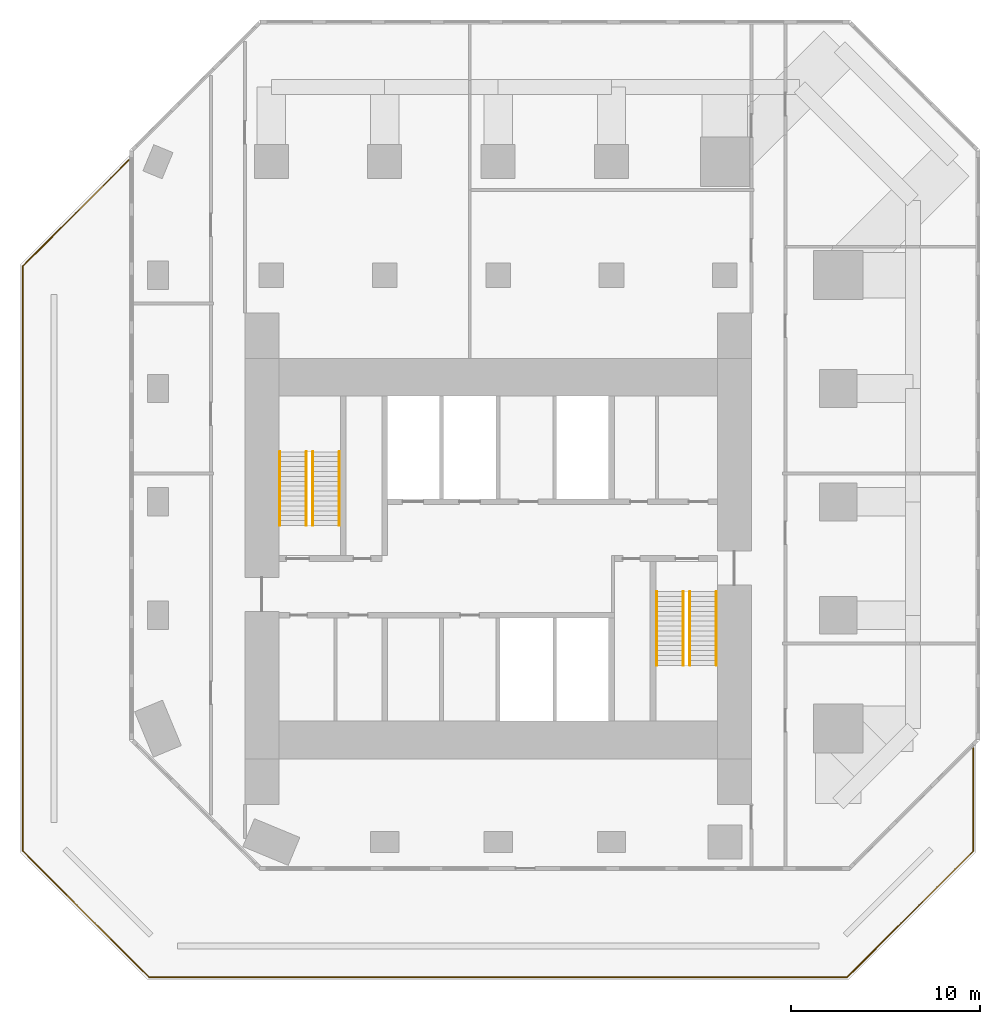
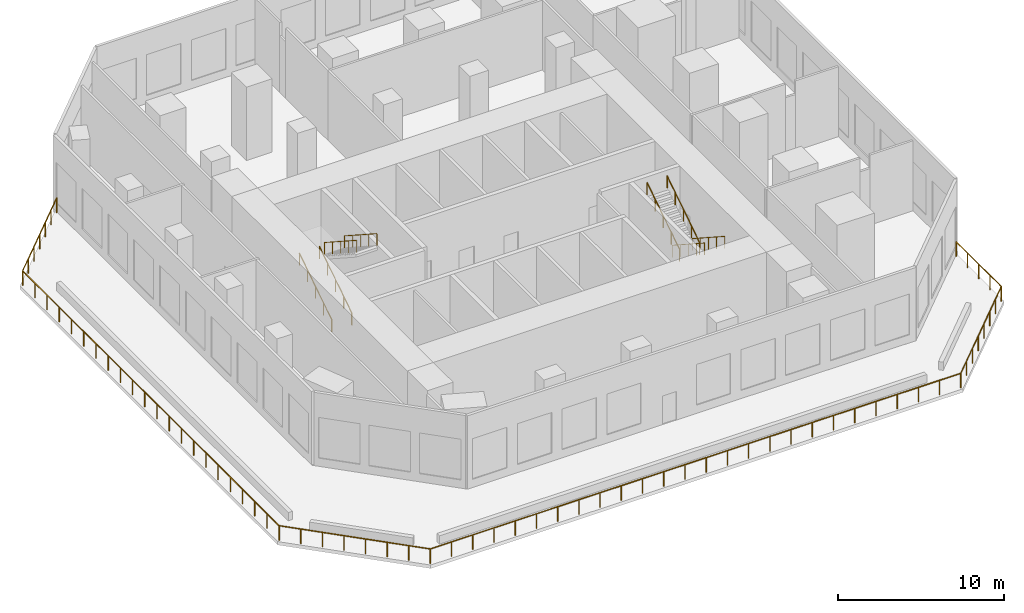
# One storey, part 7 of 7: 9 railings.
"""IFC4 building model written with IfcOpenShell, lengths in metres."""

from ifc_helpers import new_model, si_unit, direction, frame, origin, origin_2d, place, context, subcontext, project, spatial, circle, extrude, material, type_object, element, save


model = new_model("IFC4")

# Units and contexts
model_context = context("Model", 3, precision=1e-05, world=origin(), true_north=direction((0.0, 1.0)))
body_context = subcontext(model_context, "Body", "Model", "MODEL_VIEW")
ifc_project = project(units=[si_unit("LENGTHUNIT", "METRE"), si_unit("AREAUNIT", "SQUARE_METRE"), si_unit("VOLUMEUNIT", "CUBIC_METRE"), si_unit("PLANEANGLEUNIT", "RADIAN"), si_unit("MASSUNIT", "GRAM", prefix="KILO")], contexts=[model_context])

# Site, building, storey
site_placement = place(None, origin())
site = spatial("IfcSite", under=ifc_project, at=site_placement, CompositionType="ELEMENT")
building_placement = place(site_placement, origin())
building = spatial("IfcBuilding", under=site, at=building_placement, Name="Highveld Stack Headquarters", CompositionType="ELEMENT")
storey_placement = place(building_placement, frame((0.0, 0.0, 164.0)))
storey = spatial("IfcBuildingStorey", under=building, at=storey_placement, Name="L40", CompositionType="ELEMENT", Elevation=164.0)

# Railings
ifc_material_1 = material(Name="Stainless steel handrail", Category="steel")
railing_type_1 = type_object("IfcRailingType", Name="STAIR HANDRAIL HR1 900", PredefinedType="HANDRAIL", material=ifc_material_1)
for number, where, name in (
    (1, (-5.550048828125, 4.75, 0.168701171875), "Handrail S1 L40 flight 1"),
    (2, (-4.14990234375, 4.75, 0.168701171875), "Handrail S1 L40 flight 1"),
):
    element("IfcRailing", number, at=place(storey_placement, frame(where)), inside=storey, type_object=railing_type_1, Name=name, PredefinedType="HANDRAIL", context=body_context, shape_type="SweptSolid", body=[
        extrude(circle(Radius=0.02392578125, at=origin_2d()), frame((0.0, 0.0, 0.8759765625), z_axis=(0.0, 0.838805745541, 0.544430823198), x_axis=(-1.0, 0.0, 0.0)), (0.0, 0.0, 1.0), 4.6494140625),
        extrude(circle(Radius=0.02099609375, at=origin_2d()), origin(), (0.0, 0.0, 1.0), 0.851806640625),
        extrude(circle(Radius=0.02099609375, at=origin_2d()), frame((0.0, 0.97509765625, 0.6328125)), (0.0, 0.0, 1.0), 0.851806640625),
        extrude(circle(Radius=0.02099609375, at=origin_2d()), frame((0.0, 1.949951171875, 1.265625)), (0.0, 0.0, 1.0), 0.851806640625),
        extrude(circle(Radius=0.02099609375, at=origin_2d()), frame((0.0, 2.9248046875, 1.8984375)), (0.0, 0.0, 1.0), 0.851806640625),
        extrude(circle(Radius=0.02099609375, at=origin_2d()), frame((0.0, 3.89990234375, 2.53125)), (0.0, 0.0, 1.0), 0.851806640625),
    ])
for number, where, name in (
    (3, (-3.800048828125, 8.64990234375, 2.86865234375), "Handrail S1 L40 flight 2"),
    (4, (-2.39990234375, 8.64990234375, 2.86865234375), "Handrail S1 L40 flight 2"),
    (5, (16.14990234375, 1.25, 0.168701171875), "Handrail S2 L40 flight 1"),
    (6, (17.550048828125, 1.25, 0.168701171875), "Handrail S2 L40 flight 1"),
):
    element("IfcRailing", number, at=place(storey_placement, frame(where)), inside=storey, type_object=railing_type_1, Name=name, PredefinedType="HANDRAIL", context=body_context, shape_type="SweptSolid", body=[
        extrude(circle(Radius=0.02392578125, at=origin_2d()), frame((0.0, 0.0, 0.8759765625), z_axis=(0.0, -0.838805745541, 0.544430823198), x_axis=(1.0, 0.0, 0.0)), (0.0, 0.0, 1.0), 4.6494140625),
        extrude(circle(Radius=0.02099609375, at=origin_2d()), origin(), (0.0, 0.0, 1.0), 0.851806640625),
        extrude(circle(Radius=0.02099609375, at=origin_2d()), frame((0.0, -0.97509765625, 0.6328125)), (0.0, 0.0, 1.0), 0.851806640625),
        extrude(circle(Radius=0.02099609375, at=origin_2d()), frame((0.0, -1.949951171875, 1.265625)), (0.0, 0.0, 1.0), 0.851806640625),
        extrude(circle(Radius=0.02099609375, at=origin_2d()), frame((0.0, -2.9248046875, 1.8984375)), (0.0, 0.0, 1.0), 0.851806640625),
        extrude(circle(Radius=0.02099609375, at=origin_2d()), frame((0.0, -3.89990234375, 2.53125)), (0.0, 0.0, 1.0), 0.851806640625),
    ])
for number, where, name in (
    (7, (14.39990234375, -2.64990234375, 2.86865234375), "Handrail S2 L40 flight 2"),
    (8, (15.800048828125, -2.64990234375, 2.86865234375), "Handrail S2 L40 flight 2"),
):
    element("IfcRailing", number, at=place(storey_placement, frame(where)), inside=storey, type_object=railing_type_1, Name=name, PredefinedType="HANDRAIL", context=body_context, shape_type="SweptSolid", body=[
        extrude(circle(Radius=0.02392578125, at=origin_2d()), frame((0.0, 0.0, 0.8759765625), z_axis=(0.0, 0.838805745541, 0.544430823198), x_axis=(-1.0, 0.0, 0.0)), (0.0, 0.0, 1.0), 4.6494140625),
        extrude(circle(Radius=0.02099609375, at=origin_2d()), origin(), (0.0, 0.0, 1.0), 0.851806640625),
        extrude(circle(Radius=0.02099609375, at=origin_2d()), frame((0.0, 0.97509765625, 0.6328125)), (0.0, 0.0, 1.0), 0.851806640625),
        extrude(circle(Radius=0.02099609375, at=origin_2d()), frame((0.0, 1.949951171875, 1.265625)), (0.0, 0.0, 1.0), 0.851806640625),
        extrude(circle(Radius=0.02099609375, at=origin_2d()), frame((0.0, 2.9248046875, 1.8984375)), (0.0, 0.0, 1.0), 0.851806640625),
        extrude(circle(Radius=0.02099609375, at=origin_2d()), frame((0.0, 3.89990234375, 2.53125)), (0.0, 0.0, 1.0), 0.851806640625),
    ])
ifc_material_2 = material(Name="Laminated glass balustrade with bronze handrail", Category="glass")
railing_type_2 = type_object("IfcRailingType", Name="TERRACE GUARD GR1 1100 GLASS", PredefinedType="GUARDRAIL", material=ifc_material_2)
railing_placement = place(storey_placement, frame((31.14990234375, -7.033447265625, 0.0)))
element("IfcRailing", 9, at=railing_placement, inside=storey, type_object=railing_type_2, Name="Terrace guard L40 1", PredefinedType="GUARDRAIL", context=body_context, shape_type="SweptSolid", body=[
    extrude(circle(Radius=0.02392578125, at=origin_2d()), frame((0.0, 0.0, 1.076171875), z_axis=(0.0, -1.0, 0.0), x_axis=(1.0, 0.0, 0.0)), (0.0, 0.0, 1.0), 5.44287109375),
    extrude(circle(Radius=0.02392578125, at=origin_2d()), frame((0.0, -5.44287109375, 1.076171875), z_axis=(-0.707106781187, -0.707106781187, 0.0), x_axis=(0.707106781187, -0.707106781187, 0.0)), (0.0, 0.0, 1.0), 9.43798828125),
    extrude(circle(Radius=0.02392578125, at=origin_2d()), frame((-6.673583984375, -12.116455078125, 1.076171875), z_axis=(-1.0, 0.0, 0.0), x_axis=(0.0, -1.0, 0.0)), (0.0, 0.0, 1.0), 36.95263671875),
    extrude(circle(Radius=0.02392578125, at=origin_2d()), frame((-43.626220703125, -12.116455078125, 1.076171875), z_axis=(-0.707106781187, 0.707106781187, 0.0), x_axis=(-0.707106781187, -0.707106781187, 0.0)), (0.0, 0.0, 1.0), 9.43798828125),
    extrude(circle(Radius=0.02392578125, at=origin_2d()), frame((-50.2998046875, -5.44287109375, 1.076171875), z_axis=(0.0, 1.0, 0.0), x_axis=(-1.0, 0.0, 0.0)), (0.0, 0.0, 1.0), 30.95263671875),
    extrude(circle(Radius=0.02392578125, at=origin_2d()), frame((-50.2998046875, 25.509765625, 1.076171875), z_axis=(0.707091384029, 0.707122178009, 0.0), x_axis=(-0.707122178009, 0.707091384029, 0.0)), (0.0, 0.0, 1.0), 7.92822265625),
    extrude(circle(Radius=0.02099609375, at=origin_2d()), origin(), (0.0, 0.0, 1.0), 1.052001953125),
    extrude(circle(Radius=0.02099609375, at=origin_2d()), frame((0.0, -1.36083984375, 0.0)), (0.0, 0.0, 1.0), 1.052001953125),
    extrude(circle(Radius=0.02099609375, at=origin_2d()), frame((0.0, -2.721435546875, 0.0)), (0.0, 0.0, 1.0), 1.052001953125),
    extrude(circle(Radius=0.02099609375, at=origin_2d()), frame((0.0, -4.08203125, 0.0)), (0.0, 0.0, 1.0), 1.052001953125),
    extrude(circle(Radius=0.02099609375, at=origin_2d()), frame((0.0, -5.44287109375, 0.0)), (0.0, 0.0, 1.0), 1.052001953125),
    extrude(circle(Radius=0.02099609375, at=origin_2d()), frame((-0.953369140625, -6.396240234375, 0.0)), (0.0, 0.0, 1.0), 1.052001953125),
    extrude(circle(Radius=0.02099609375, at=origin_2d()), frame((-1.90673828125, -7.349609375, 0.0)), (0.0, 0.0, 1.0), 1.052001953125),
    extrude(circle(Radius=0.02099609375, at=origin_2d()), frame((-2.860107421875, -8.302978515625, 0.0)), (0.0, 0.0, 1.0), 1.052001953125),
    extrude(circle(Radius=0.02099609375, at=origin_2d()), frame((-3.8134765625, -9.25634765625, 0.0)), (0.0, 0.0, 1.0), 1.052001953125),
    extrude(circle(Radius=0.02099609375, at=origin_2d()), frame((-4.766845703125, -10.209716796875, 0.0)), (0.0, 0.0, 1.0), 1.052001953125),
    extrude(circle(Radius=0.02099609375, at=origin_2d()), frame((-5.72021484375, -11.1630859375, 0.0)), (0.0, 0.0, 1.0), 1.052001953125),
    extrude(circle(Radius=0.02099609375, at=origin_2d()), frame((-6.673583984375, -12.116455078125, 0.0)), (0.0, 0.0, 1.0), 1.052001953125),
    extrude(circle(Radius=0.02099609375, at=origin_2d()), frame((-8.151611328125, -12.116455078125, 0.0)), (0.0, 0.0, 1.0), 1.052001953125),
    extrude(circle(Radius=0.02099609375, at=origin_2d()), frame((-9.6298828125, -12.116455078125, 0.0)), (0.0, 0.0, 1.0), 1.052001953125),
    extrude(circle(Radius=0.02099609375, at=origin_2d()), frame((-11.10791015625, -12.116455078125, 0.0)), (0.0, 0.0, 1.0), 1.052001953125),
    extrude(circle(Radius=0.02099609375, at=origin_2d()), frame((-12.5859375, -12.116455078125, 0.0)), (0.0, 0.0, 1.0), 1.052001953125),
    extrude(circle(Radius=0.02099609375, at=origin_2d()), frame((-14.064208984375, -12.116455078125, 0.0)), (0.0, 0.0, 1.0), 1.052001953125),
    extrude(circle(Radius=0.02099609375, at=origin_2d()), frame((-15.542236328125, -12.116455078125, 0.0)), (0.0, 0.0, 1.0), 1.052001953125),
    extrude(circle(Radius=0.02099609375, at=origin_2d()), frame((-17.020263671875, -12.116455078125, 0.0)), (0.0, 0.0, 1.0), 1.052001953125),
    extrude(circle(Radius=0.02099609375, at=origin_2d()), frame((-18.49853515625, -12.116455078125, 0.0)), (0.0, 0.0, 1.0), 1.052001953125),
    extrude(circle(Radius=0.02099609375, at=origin_2d()), frame((-19.9765625, -12.116455078125, 0.0)), (0.0, 0.0, 1.0), 1.052001953125),
    extrude(circle(Radius=0.02099609375, at=origin_2d()), frame((-21.45458984375, -12.116455078125, 0.0)), (0.0, 0.0, 1.0), 1.052001953125),
    extrude(circle(Radius=0.02099609375, at=origin_2d()), frame((-22.932861328125, -12.116455078125, 0.0)), (0.0, 0.0, 1.0), 1.052001953125),
    extrude(circle(Radius=0.02099609375, at=origin_2d()), frame((-24.410888671875, -12.116455078125, 0.0)), (0.0, 0.0, 1.0), 1.052001953125),
    extrude(circle(Radius=0.02099609375, at=origin_2d()), frame((-25.888916015625, -12.116455078125, 0.0)), (0.0, 0.0, 1.0), 1.052001953125),
    extrude(circle(Radius=0.02099609375, at=origin_2d()), frame((-27.366943359375, -12.116455078125, 0.0)), (0.0, 0.0, 1.0), 1.052001953125),
    extrude(circle(Radius=0.02099609375, at=origin_2d()), frame((-28.84521484375, -12.116455078125, 0.0)), (0.0, 0.0, 1.0), 1.052001953125),
    extrude(circle(Radius=0.02099609375, at=origin_2d()), frame((-30.3232421875, -12.116455078125, 0.0)), (0.0, 0.0, 1.0), 1.052001953125),
    extrude(circle(Radius=0.02099609375, at=origin_2d()), frame((-31.80126953125, -12.116455078125, 0.0)), (0.0, 0.0, 1.0), 1.052001953125),
    extrude(circle(Radius=0.02099609375, at=origin_2d()), frame((-33.279541015625, -12.116455078125, 0.0)), (0.0, 0.0, 1.0), 1.052001953125),
    extrude(circle(Radius=0.02099609375, at=origin_2d()), frame((-34.757568359375, -12.116455078125, 0.0)), (0.0, 0.0, 1.0), 1.052001953125),
    extrude(circle(Radius=0.02099609375, at=origin_2d()), frame((-36.235595703125, -12.116455078125, 0.0)), (0.0, 0.0, 1.0), 1.052001953125),
    extrude(circle(Radius=0.02099609375, at=origin_2d()), frame((-37.7138671875, -12.116455078125, 0.0)), (0.0, 0.0, 1.0), 1.052001953125),
    extrude(circle(Radius=0.02099609375, at=origin_2d()), frame((-39.19189453125, -12.116455078125, 0.0)), (0.0, 0.0, 1.0), 1.052001953125),
    extrude(circle(Radius=0.02099609375, at=origin_2d()), frame((-40.669921875, -12.116455078125, 0.0)), (0.0, 0.0, 1.0), 1.052001953125),
    extrude(circle(Radius=0.02099609375, at=origin_2d()), frame((-42.148193359375, -12.116455078125, 0.0)), (0.0, 0.0, 1.0), 1.052001953125),
    extrude(circle(Radius=0.02099609375, at=origin_2d()), frame((-43.626220703125, -12.116455078125, 0.0)), (0.0, 0.0, 1.0), 1.052001953125),
    extrude(circle(Radius=0.02099609375, at=origin_2d()), frame((-44.57958984375, -11.1630859375, 0.0)), (0.0, 0.0, 1.0), 1.052001953125),
    extrude(circle(Radius=0.02099609375, at=origin_2d()), frame((-45.532958984375, -10.209716796875, 0.0)), (0.0, 0.0, 1.0), 1.052001953125),
    extrude(circle(Radius=0.02099609375, at=origin_2d()), frame((-46.486328125, -9.25634765625, 0.0)), (0.0, 0.0, 1.0), 1.052001953125),
    extrude(circle(Radius=0.02099609375, at=origin_2d()), frame((-47.439697265625, -8.302978515625, 0.0)), (0.0, 0.0, 1.0), 1.052001953125),
    extrude(circle(Radius=0.02099609375, at=origin_2d()), frame((-48.39306640625, -7.349609375, 0.0)), (0.0, 0.0, 1.0), 1.052001953125),
    extrude(circle(Radius=0.02099609375, at=origin_2d()), frame((-49.346435546875, -6.396240234375, 0.0)), (0.0, 0.0, 1.0), 1.052001953125),
    extrude(circle(Radius=0.02099609375, at=origin_2d()), frame((-50.2998046875, -5.44287109375, 0.0)), (0.0, 0.0, 1.0), 1.052001953125),
    extrude(circle(Radius=0.02099609375, at=origin_2d()), frame((-50.2998046875, -3.968994140625, 0.0)), (0.0, 0.0, 1.0), 1.052001953125),
    extrude(circle(Radius=0.02099609375, at=origin_2d()), frame((-50.2998046875, -2.4951171875, 0.0)), (0.0, 0.0, 1.0), 1.052001953125),
    extrude(circle(Radius=0.02099609375, at=origin_2d()), frame((-50.2998046875, -1.02099609375, 0.0)), (0.0, 0.0, 1.0), 1.052001953125),
    extrude(circle(Radius=0.02099609375, at=origin_2d()), frame((-50.2998046875, 0.452880859375, 0.0)), (0.0, 0.0, 1.0), 1.052001953125),
    extrude(circle(Radius=0.02099609375, at=origin_2d()), frame((-50.2998046875, 1.9267578125, 0.0)), (0.0, 0.0, 1.0), 1.052001953125),
    extrude(circle(Radius=0.02099609375, at=origin_2d()), frame((-50.2998046875, 3.400634765625, 0.0)), (0.0, 0.0, 1.0), 1.052001953125),
    extrude(circle(Radius=0.02099609375, at=origin_2d()), frame((-50.2998046875, 4.874755859375, 0.0)), (0.0, 0.0, 1.0), 1.052001953125),
    extrude(circle(Radius=0.02099609375, at=origin_2d()), frame((-50.2998046875, 6.3486328125, 0.0)), (0.0, 0.0, 1.0), 1.052001953125),
    extrude(circle(Radius=0.02099609375, at=origin_2d()), frame((-50.2998046875, 7.822509765625, 0.0)), (0.0, 0.0, 1.0), 1.052001953125),
    extrude(circle(Radius=0.02099609375, at=origin_2d()), frame((-50.2998046875, 9.29638671875, 0.0)), (0.0, 0.0, 1.0), 1.052001953125),
    extrude(circle(Radius=0.02099609375, at=origin_2d()), frame((-50.2998046875, 10.7705078125, 0.0)), (0.0, 0.0, 1.0), 1.052001953125),
    extrude(circle(Radius=0.02099609375, at=origin_2d()), frame((-50.2998046875, 12.244384765625, 0.0)), (0.0, 0.0, 1.0), 1.052001953125),
    extrude(circle(Radius=0.02099609375, at=origin_2d()), frame((-50.2998046875, 13.71826171875, 0.0)), (0.0, 0.0, 1.0), 1.052001953125),
    extrude(circle(Radius=0.02099609375, at=origin_2d()), frame((-50.2998046875, 15.192138671875, 0.0)), (0.0, 0.0, 1.0), 1.052001953125),
    extrude(circle(Radius=0.02099609375, at=origin_2d()), frame((-50.2998046875, 16.666259765625, 0.0)), (0.0, 0.0, 1.0), 1.052001953125),
    extrude(circle(Radius=0.02099609375, at=origin_2d()), frame((-50.2998046875, 18.14013671875, 0.0)), (0.0, 0.0, 1.0), 1.052001953125),
    extrude(circle(Radius=0.02099609375, at=origin_2d()), frame((-50.2998046875, 19.614013671875, 0.0)), (0.0, 0.0, 1.0), 1.052001953125),
    extrude(circle(Radius=0.02099609375, at=origin_2d()), frame((-50.2998046875, 21.087890625, 0.0)), (0.0, 0.0, 1.0), 1.052001953125),
    extrude(circle(Radius=0.02099609375, at=origin_2d()), frame((-50.2998046875, 22.56201171875, 0.0)), (0.0, 0.0, 1.0), 1.052001953125),
    extrude(circle(Radius=0.02099609375, at=origin_2d()), frame((-50.2998046875, 24.035888671875, 0.0)), (0.0, 0.0, 1.0), 1.052001953125),
    extrude(circle(Radius=0.02099609375, at=origin_2d()), frame((-50.2998046875, 25.509765625, 0.0)), (0.0, 0.0, 1.0), 1.052001953125),
    extrude(circle(Radius=0.02099609375, at=origin_2d()), frame((-49.365478515625, 26.444091796875, 0.0)), (0.0, 0.0, 1.0), 1.052001953125),
    extrude(circle(Radius=0.02099609375, at=origin_2d()), frame((-48.43115234375, 27.37841796875, 0.0)), (0.0, 0.0, 1.0), 1.052001953125),
    extrude(circle(Radius=0.02099609375, at=origin_2d()), frame((-47.496826171875, 28.31298828125, 0.0)), (0.0, 0.0, 1.0), 1.052001953125),
    extrude(circle(Radius=0.02099609375, at=origin_2d()), frame((-46.5625, 29.247314453125, 0.0)), (0.0, 0.0, 1.0), 1.052001953125),
    extrude(circle(Radius=0.02099609375, at=origin_2d()), frame((-45.628173828125, 30.181640625, 0.0)), (0.0, 0.0, 1.0), 1.052001953125),
    extrude(circle(Radius=0.02099609375, at=origin_2d()), frame((-44.69384765625, 31.115966796875, 0.0)), (0.0, 0.0, 1.0), 1.052001953125),
])

save(model, "model.ifc")
